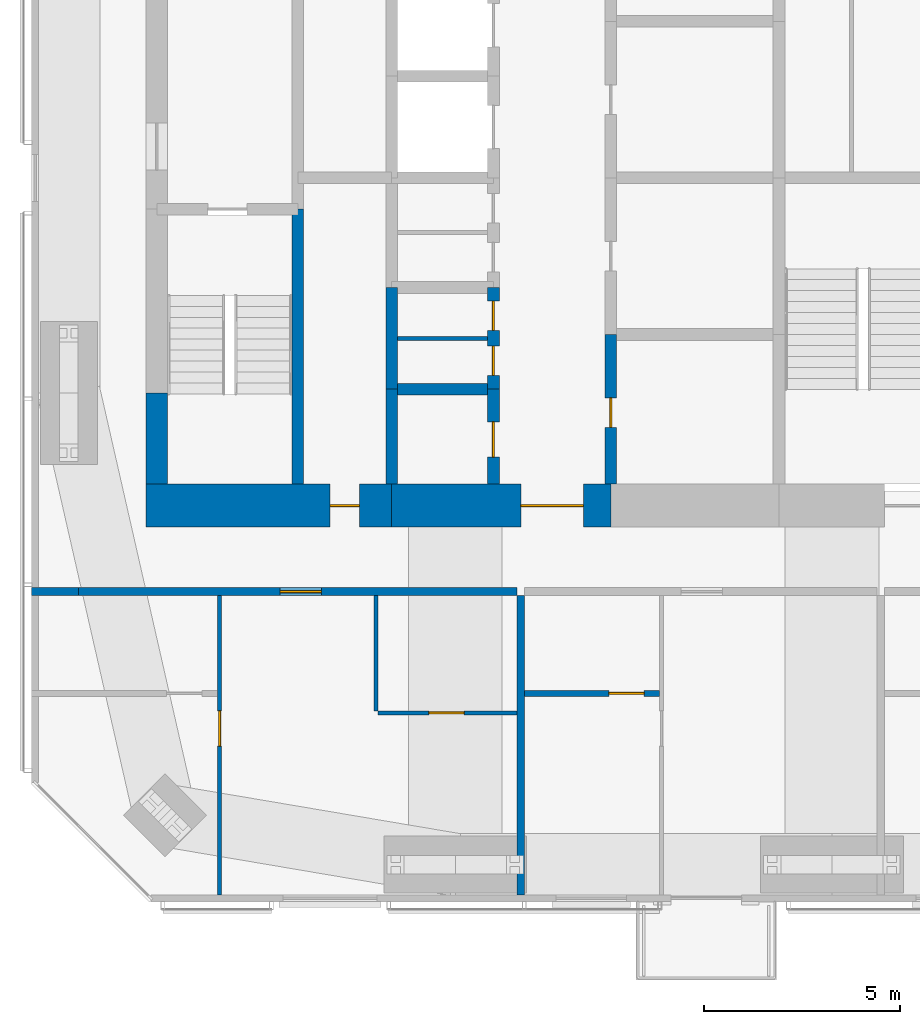
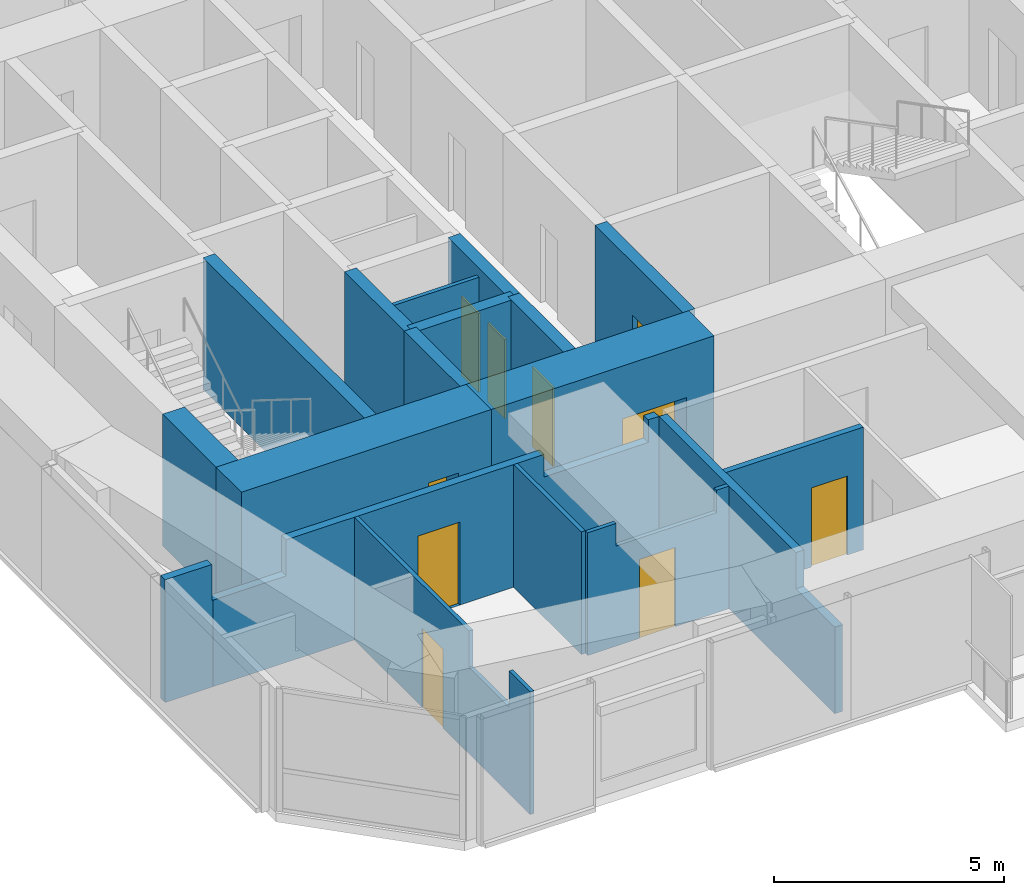
# One storey, part 12 of 18: 18 walls, 10 doors, 10 openings.
"""IFC4 building model written with IfcOpenShell, lengths in metres."""

from ifc_helpers import new_model, si_unit, direction, frame, frame_2d, origin, place, context, subcontext, project, spatial, polyline, rectangle, outline, extrude, material, layer, layer_set, constituent, constituent_set, type_object, element, fill, save


model = new_model("IFC4")

# Units and contexts
model_context = context("Model", 3, precision=1e-05, world=origin(), true_north=direction((0.0, 1.0)))
body_context = subcontext(model_context, "Body", "Model", "MODEL_VIEW")
ifc_project = project(units=[si_unit("LENGTHUNIT", "METRE"), si_unit("AREAUNIT", "SQUARE_METRE"), si_unit("VOLUMEUNIT", "CUBIC_METRE"), si_unit("PLANEANGLEUNIT", "RADIAN"), si_unit("MASSUNIT", "GRAM", prefix="KILO")], contexts=[model_context])

# Site, building, storey
site_placement = place(None, origin())
site = spatial("IfcSite", under=ifc_project, at=site_placement, CompositionType="ELEMENT")
building_placement = place(site_placement, origin())
building = spatial("IfcBuilding", under=site, at=building_placement, Name="Jalousie Tower", CompositionType="ELEMENT")
storey_placement = place(building_placement, frame((0.0, 0.0, 235.449951171875)))
storey = spatial("IfcBuildingStorey", under=building, at=storey_placement, Name="L64", CompositionType="ELEMENT", Elevation=235.449951171875)

# Wall, opening, door
ifc_material_1 = material(Name="Concrete block ASTM C90", Category="concrete")
ifc_constituent_1 = constituent(ifc_material_1, Name="Body")
ifc_material_2 = material(Name="Render")
ifc_constituent_2 = constituent(ifc_material_2, Name="Finish")
ifc_constituent_set_1 = constituent_set(constituents=[ifc_constituent_1, ifc_constituent_2])
wall_type_1 = type_object("IfcWallType", Name="BATHROOM WALL 150", PredefinedType="PLUMBINGWALL", material=ifc_constituent_set_1)
wall_1_placement = place(storey_placement, frame((29.39990234375, 5.324951171875, 0.0), z_axis=(0.0, 0.0, 1.0), x_axis=(1.0, 0.0, 0.0)))
wall_1 = element("IfcWall", 1, at=wall_1_placement, inside=storey, type_object=wall_type_1, Name="Bathroom Wall 150 L64", PredefinedType="PLUMBINGWALL", context=body_context, shape_type="SweptSolid", body=[
    extrude(rectangle(XDim=3.4501953125, YDim=0.14990234375, at=frame_2d((1.72509765625, 0.0))), origin(), (0.0, 0.0, 1.0), 3.260009765625),
])
opening_1_placement = place(wall_1_placement, frame((2.14990234375, 0.0, 0.0)))
opening_1 = element("IfcOpeningElement", 2, at=opening_1_placement, cuts=wall_1, Name="Opening D3", PredefinedType="OPENING", context=body_context, shape_type="SweptSolid", body=[
    extrude(rectangle(XDim=0.89990234375, YDim=2.10009765625, at=frame_2d((0.449951171875, 1.050048828125))), frame((0.0, 0.0849609375, 0.0), z_axis=(0.0, -1.0, 0.0), x_axis=(1.0, 0.0, 0.0)), (0.0, 0.0, 1.0), 0.169921875),
])
ifc_material_3 = material(Name="Timber door", Category="wood")
door_type_1 = type_object("IfcDoorType", Name="BATHROOM DOOR 900", OperationType="SINGLE_SWING_LEFT", PredefinedType="DOOR", material=ifc_material_3)
door_1_placement = place(opening_1_placement, origin())
door_1 = element("IfcDoor", 3, at=door_1_placement, inside=storey, type_object=door_type_1, Name="Apartment 6402 bedroom 1 bathroom door", OperationType="SINGLE_SWING_RIGHT", OverallHeight=2.10009765625, OverallWidth=0.89990234375, PredefinedType="DOOR", context=body_context, shape_type="SweptSolid", body=[
    extrude(rectangle(XDim=0.89990234375, YDim=2.10009765625, at=frame_2d((0.449951171875, 1.050048828125))), frame((0.0, 0.02490234375, 0.0), z_axis=(0.0, -1.0, 0.0), x_axis=(1.0, 0.0, 0.0)), (0.0, 0.0, 1.0), 0.050048828125),
])
fill(opening_1, door_1)

ifc_material_4 = material(Name="Concrete f'c 120 MPa", Category="concrete")
ifc_layer_1 = layer(ifc_material_4, 1.10009765625)
ifc_layer_set_1 = layer_set([ifc_layer_1], Name="Concrete f'c 120 MPa")
wall_type_2 = type_object("IfcWallType", Name="CORE WALL 1100", PredefinedType="SHEAR", material=ifc_layer_set_1)
wall_2_placement = place(storey_placement, frame((19.72509765625, 10.125, 0.0), z_axis=(0.0, 0.0, 1.0), x_axis=(1.0, 0.0, 0.0)))
wall_2 = element("IfcWall", 4, at=wall_2_placement, inside=storey, type_object=wall_type_2, Name="Core wall SA L64", PredefinedType="SHEAR", context=body_context, shape_type="SweptSolid", body=[
    extrude(rectangle(XDim=6.27490234375, YDim=1.10009765625, at=frame_2d((3.137451171875, 0.0))), origin(), (0.0, 0.0, 1.0), 3.5),
])
opening_2_placement = place(wall_2_placement, frame((4.699951171875, 0.0, 0.0)))
opening_2 = element("IfcOpeningElement", 5, at=opening_2_placement, cuts=wall_2, Name="Opening D16", PredefinedType="OPENING", context=body_context, shape_type="SweptSolid", body=[
    extrude(rectangle(XDim=0.75, YDim=2.10009765625, at=frame_2d((0.375, 1.050048828125))), frame((0.0, 0.56005859375, 0.0), z_axis=(0.0, -1.0, 0.0), x_axis=(1.0, 0.0, 0.0)), (0.0, 0.0, 1.0), 1.1201171875),
])
ifc_material_5 = material(Name="Steel fire door", Category="steel")
door_type_2 = type_object("IfcDoorType", Name="RISER DOOR 750", OperationType="SINGLE_SWING_LEFT", PredefinedType="DOOR", material=ifc_material_5)
door_2_placement = place(opening_2_placement, origin())
door_2 = element("IfcDoor", 6, at=door_2_placement, inside=storey, type_object=door_type_2, Name="South riser door", OperationType="SINGLE_SWING_RIGHT", OverallHeight=2.10009765625, OverallWidth=0.75, PredefinedType="DOOR", context=body_context, shape_type="SweptSolid", body=[
    extrude(rectangle(XDim=0.75, YDim=2.10009765625, at=frame_2d((0.375, 1.050048828125))), frame((0.0, 0.02490234375, 0.0), z_axis=(0.0, -1.0, 0.0), x_axis=(1.0, 0.0, 0.0)), (0.0, 0.0, 1.0), 0.050048828125),
])
fill(opening_2, door_2)

wall_3_placement = place(storey_placement, frame((26.0, 10.125, 0.0), z_axis=(0.0, 0.0, 1.0), x_axis=(1.0, 0.0, 0.0)))
wall_3 = element("IfcWall", 7, at=wall_3_placement, inside=storey, type_object=wall_type_2, Name="Core wall SB L64", PredefinedType="SHEAR", context=body_context, shape_type="SweptSolid", body=[
    extrude(rectangle(XDim=5.60009765625, YDim=1.10009765625, at=frame_2d((2.800048828125, 0.0))), origin(), (0.0, 0.0, 1.0), 3.5),
])
opening_3_placement = place(wall_3_placement, frame((3.300048828125, 0.0, 0.0)))
opening_3 = element("IfcOpeningElement", 8, at=opening_3_placement, cuts=wall_3, Name="Opening D15", PredefinedType="OPENING", context=body_context, shape_type="SweptSolid", body=[
    extrude(rectangle(XDim=1.60009765625, YDim=2.10009765625, at=frame_2d((0.800048828125, 1.050048828125))), frame((0.0, 0.56005859375, 0.0), z_axis=(0.0, -1.0, 0.0), x_axis=(1.0, 0.0, 0.0)), (0.0, 0.0, 1.0), 1.1201171875),
])
ifc_material_6 = material(Name="Steel fire door", Category="steel")
door_type_3 = type_object("IfcDoorType", Name="LIFT LOBBY DOOR 1600", OperationType="DOUBLE_DOOR_SINGLE_SWING", PredefinedType="DOOR", material=ifc_material_6)
door_3_placement = place(opening_3_placement, origin())
door_3 = element("IfcDoor", 9, at=door_3_placement, inside=storey, type_object=door_type_3, Name="Lift lobby south door", OperationType="DOUBLE_DOOR_SINGLE_SWING", OverallHeight=2.10009765625, OverallWidth=1.60009765625, PredefinedType="DOOR", context=body_context, shape_type="SweptSolid", body=[
    extrude(rectangle(XDim=1.60009765625, YDim=2.10009765625, at=frame_2d((0.800048828125, 1.050048828125))), frame((0.0, 0.02490234375, 0.0), z_axis=(0.0, -1.0, 0.0), x_axis=(1.0, 0.0, 0.0)), (0.0, 0.0, 1.0), 0.050048828125),
])
fill(opening_3, door_3)

# Walls
ifc_material_7 = material(Name="Concrete f'c 120 MPa", Category="concrete")
ifc_layer_2 = layer(ifc_material_7, 0.300048828125)
ifc_layer_set_2 = layer_set([ifc_layer_2], Name="Concrete f'c 120 MPa")
wall_type_3 = type_object("IfcWallType", Name="CORE WALL 300", PredefinedType="SHEAR", material=ifc_layer_set_2)
wall_4_placement = place(storey_placement, frame((23.60009765625, 10.675048828125, 0.0), z_axis=(0.0, 0.0, 1.0), x_axis=(0.0, 1.0, 0.0)))
element("IfcWall", 10, at=wall_4_placement, inside=storey, type_object=wall_type_3, Name="Core wall X23.6A L64", PredefinedType="SHEAR", context=body_context, shape_type="SweptSolid", body=[
    extrude(rectangle(XDim=7.02490234375, YDim=0.300048828125, at=frame_2d((3.512451171875, 0.0))), origin(), (0.0, 0.0, 1.0), 3.5),
])
wall_5_placement = place(storey_placement, frame((26.0, 10.675048828125, 0.0), z_axis=(0.0, 0.0, 1.0), x_axis=(0.0, 1.0, 0.0)))
element("IfcWall", 11, at=wall_5_placement, inside=storey, type_object=wall_type_3, Name="Core wall X26A L64", PredefinedType="SHEAR", context=body_context, shape_type="SweptSolid", body=[
    extrude(rectangle(XDim=2.425048828125, YDim=0.300048828125, at=frame_2d((1.21240234375, 0.0))), origin(), (0.0, 0.0, 1.0), 3.5),
])
wall_6_placement = place(storey_placement, frame((26.0, 13.10009765625, 0.0), z_axis=(0.0, 0.0, 1.0), x_axis=(0.0, 1.0, 0.0)))
element("IfcWall", 12, at=wall_6_placement, inside=storey, type_object=wall_type_3, Name="Core wall X26B L64", PredefinedType="SHEAR", context=body_context, shape_type="SweptSolid", body=[
    extrude(rectangle(XDim=2.599853515625, YDim=0.300048828125, at=frame_2d((1.2998046875, 0.0))), origin(), (0.0, 0.0, 1.0), 3.5),
])

# Wall, opening, door
wall_7_placement = place(storey_placement, frame((28.60009765625, 10.675048828125, 0.0), z_axis=(0.0, 0.0, 1.0), x_axis=(0.0, 1.0, 0.0)))
wall_7 = element("IfcWall", 13, at=wall_7_placement, inside=storey, type_object=wall_type_3, Name="Core wall X28.6A L64", PredefinedType="SHEAR", context=body_context, shape_type="SweptSolid", body=[
    extrude(rectangle(XDim=2.425048828125, YDim=0.300048828125, at=frame_2d((1.21240234375, 0.0))), origin(), (0.0, 0.0, 1.0), 3.5),
])
opening_4_placement = place(wall_7_placement, frame((0.6875, 0.0, 0.0)))
opening_4 = element("IfcOpeningElement", 14, at=opening_4_placement, cuts=wall_7, Name="Opening D24", PredefinedType="OPENING", context=body_context, shape_type="SweptSolid", body=[
    extrude(rectangle(XDim=0.89990234375, YDim=2.10009765625, at=frame_2d((0.449951171875, 1.050048828125))), frame((0.0, 0.159912109375, 0.0), z_axis=(0.0, -1.0, 0.0), x_axis=(1.0, 0.0, 0.0)), (0.0, 0.0, 1.0), 0.320068359375),
])
ifc_material_8 = material(Name="Steel fire door", Category="steel")
door_type_4 = type_object("IfcDoorType", Name="CORE ROOM DOOR 900", OperationType="SINGLE_SWING_LEFT", PredefinedType="DOOR", material=ifc_material_8)
door_4_placement = place(opening_4_placement, origin())
door_4 = element("IfcDoor", 15, at=door_4_placement, inside=storey, type_object=door_type_4, Name="Pantry door", OperationType="SINGLE_SWING_RIGHT", OverallHeight=2.10009765625, OverallWidth=0.89990234375, PredefinedType="DOOR", context=body_context, shape_type="SweptSolid", body=[
    extrude(rectangle(XDim=0.89990234375, YDim=2.10009765625, at=frame_2d((0.449951171875, 1.050048828125))), frame((0.0, 0.02490234375, 0.0), z_axis=(0.0, -1.0, 0.0), x_axis=(1.0, 0.0, 0.0)), (0.0, 0.0, 1.0), 0.050048828125),
])
fill(opening_4, door_4)

# Wall, openings, doors
wall_8_placement = place(storey_placement, frame((28.60009765625, 13.10009765625, 0.0), z_axis=(0.0, 0.0, 1.0), x_axis=(0.0, 1.0, 0.0)))
wall_8 = element("IfcWall", 16, at=wall_8_placement, inside=storey, type_object=wall_type_3, Name="Core wall X28.6B L64", PredefinedType="SHEAR", context=body_context, shape_type="SweptSolid", body=[
    extrude(rectangle(XDim=2.599853515625, YDim=0.300048828125, at=frame_2d((1.2998046875, 0.0))), origin(), (0.0, 0.0, 1.0), 3.5),
])
opening_5_placement = place(wall_8_placement, frame((0.35009765625, 0.0, 0.0)))
opening_5 = element("IfcOpeningElement", 17, at=opening_5_placement, cuts=wall_8, Name="Opening D27", PredefinedType="OPENING", context=body_context, shape_type="SweptSolid", body=[
    extrude(rectangle(XDim=0.75, YDim=2.10009765625, at=frame_2d((0.375, 1.050048828125))), frame((0.0, 0.159912109375, 0.0), z_axis=(0.0, -1.0, 0.0), x_axis=(1.0, 0.0, 0.0)), (0.0, 0.0, 1.0), 0.320068359375),
])
opening_6_placement = place(wall_8_placement, frame((1.5, 0.0, 0.0)))
opening_6 = element("IfcOpeningElement", 18, at=opening_6_placement, cuts=wall_8, Name="Opening D27", PredefinedType="OPENING", context=body_context, shape_type="SweptSolid", body=[
    extrude(rectangle(XDim=0.75, YDim=2.10009765625, at=frame_2d((0.375, 1.050048828125))), frame((0.0, 0.159912109375, 0.0), z_axis=(0.0, -1.0, 0.0), x_axis=(1.0, 0.0, 0.0)), (0.0, 0.0, 1.0), 0.320068359375),
])
ifc_material_9 = material(Name="Steel fire door", Category="steel")
door_type_5 = type_object("IfcDoorType", Name="CORE ROOM DOOR 750", OperationType="SINGLE_SWING_LEFT", PredefinedType="DOOR", material=ifc_material_9)
door_5_placement = place(opening_5_placement, origin())
door_5 = element("IfcDoor", 19, at=door_5_placement, inside=storey, type_object=door_type_5, Name="IT room door", OperationType="SINGLE_SWING_RIGHT", OverallHeight=2.10009765625, OverallWidth=0.75, PredefinedType="DOOR", context=body_context, shape_type="SweptSolid", body=[
    extrude(rectangle(XDim=0.75, YDim=2.10009765625, at=frame_2d((0.375, 1.050048828125))), frame((0.0, 0.02490234375, 0.0), z_axis=(0.0, -1.0, 0.0), x_axis=(1.0, 0.0, 0.0)), (0.0, 0.0, 1.0), 0.050048828125),
])
fill(opening_5, door_5)
door_6_placement = place(opening_6_placement, origin())
door_6 = element("IfcDoor", 20, at=door_6_placement, inside=storey, type_object=door_type_5, Name="Store door", OperationType="SINGLE_SWING_LEFT", OverallHeight=2.10009765625, OverallWidth=0.75, PredefinedType="DOOR", context=body_context, shape_type="SweptSolid", body=[
    extrude(rectangle(XDim=0.75, YDim=2.10009765625, at=frame_2d((0.375, 1.050048828125))), frame((0.0, 0.02490234375, 0.0), z_axis=(0.0, -1.0, 0.0), x_axis=(1.0, 0.0, 0.0)), (0.0, 0.0, 1.0), 0.050048828125),
])
fill(opening_6, door_6)

# Wall, opening, door
wall_9_placement = place(storey_placement, frame((31.60009765625, 10.675048828125, 0.0), z_axis=(0.0, 0.0, 1.0), x_axis=(0.0, 1.0, 0.0)))
wall_9 = element("IfcWall", 21, at=wall_9_placement, inside=storey, type_object=wall_type_3, Name="Core wall X31.6A L64", PredefinedType="SHEAR", context=body_context, shape_type="SweptSolid", body=[
    extrude(rectangle(XDim=3.824951171875, YDim=0.300048828125, at=frame_2d((1.91259765625, 0.0))), origin(), (0.0, 0.0, 1.0), 3.5),
])
opening_7_placement = place(wall_9_placement, frame((1.449951171875, 0.0, 0.0)))
opening_7 = element("IfcOpeningElement", 22, at=opening_7_placement, cuts=wall_9, Name="Opening D16", PredefinedType="OPENING", context=body_context, shape_type="SweptSolid", body=[
    extrude(rectangle(XDim=0.75, YDim=2.10009765625, at=frame_2d((0.375, 1.050048828125))), frame((0.0, 0.159912109375, 0.0), z_axis=(0.0, -1.0, 0.0), x_axis=(1.0, 0.0, 0.0)), (0.0, 0.0, 1.0), 0.320068359375),
])
door_7_placement = place(opening_7_placement, frame((0.75, 0.0, 0.0), z_axis=(0.0, 0.0, 1.0), x_axis=(-1.0, 0.0, 0.0)))
door_7 = element("IfcDoor", 23, at=door_7_placement, inside=storey, type_object=door_type_2, Name="Refuse Room door", OperationType="SINGLE_SWING_RIGHT", OverallHeight=2.10009765625, OverallWidth=0.75, PredefinedType="DOOR", context=body_context, shape_type="SweptSolid", body=[
    extrude(rectangle(XDim=0.75, YDim=2.10009765625, at=frame_2d((0.375, 1.050048828125))), frame((0.0, 0.02490234375, 0.0), z_axis=(0.0, -1.0, 0.0), x_axis=(1.0, 0.0, 0.0)), (0.0, 0.0, 1.0), 0.050048828125),
])
fill(opening_7, door_7)

# Walls
wall_10_placement = place(storey_placement, frame((26.0, 13.10009765625, 0.0), z_axis=(0.0, 0.0, 1.0), x_axis=(1.0, 0.0, 0.0)))
element("IfcWall", 24, at=wall_10_placement, inside=storey, type_object=wall_type_3, Name="Core wall Y26-13.1 L64", PredefinedType="SHEAR", context=body_context, shape_type="SweptSolid", body=[
    extrude(rectangle(XDim=2.60009765625, YDim=0.300048828125, at=frame_2d((1.300048828125, 0.0))), origin(), (0.0, 0.0, 1.0), 3.5),
])
ifc_material_10 = material(Name="Concrete f'c 120 MPa", Category="concrete")
ifc_layer_3 = layer(ifc_material_10, 0.550048828125)
ifc_layer_set_3 = layer_set([ifc_layer_3], Name="Concrete f'c 120 MPa")
wall_type_4 = type_object("IfcWallType", Name="CORE WALL 550", PredefinedType="SHEAR", material=ifc_layer_set_3)
wall_11_placement = place(storey_placement, frame((20.0, 13.0, 0.0), z_axis=(0.0, 0.0, 1.0), x_axis=(0.0, -1.0, 0.0)))
element("IfcWall", 25, at=wall_11_placement, inside=storey, type_object=wall_type_4, Name="Core wall WD L64", PredefinedType="SHEAR", context=body_context, shape_type="SweptSolid", body=[
    extrude(rectangle(XDim=2.324951171875, YDim=0.550048828125, at=frame_2d((1.16259765625, 0.0))), origin(), (0.0, 0.0, 1.0), 3.5),
])

# Wall, opening, door
ifc_material_11 = material(Name="Concrete block ASTM C90", Category="concrete")
ifc_constituent_3 = constituent(ifc_material_11, Name="Body")
ifc_material_12 = material(Name="Render")
ifc_constituent_4 = constituent(ifc_material_12, Name="Finish")
ifc_constituent_set_2 = constituent_set(constituents=[ifc_constituent_3, ifc_constituent_4])
wall_type_5 = type_object("IfcWallType", Name="CORRIDOR WALL 200", PredefinedType="PARTITIONING", material=ifc_constituent_set_2)
wall_12_placement = place(storey_placement, frame((18.0, 7.925048828125, 0.0), z_axis=(0.0, 0.0, 1.0), x_axis=(1.0, 0.0, 0.0)))
wall_12 = element("IfcWall", 26, at=wall_12_placement, inside=storey, type_object=wall_type_5, Name="Corridor Wall 200 L64", PredefinedType="PARTITIONING", context=body_context, shape_type="SweptSolid", body=[
    extrude(outline(polyline([(0.0, 0.0), (11.199951171875, 0.0), (11.199951171875, 3.260009765625), (10.93505859375, 3.260009765625), (10.93505859375, 2.66015625), (8.31494140625, 2.66015625), (8.31494140625, 3.260009765625), (1.838623046875, 3.260009765625), (1.838623046875, 2.300048828125), (0.0, 2.300048828125), (0.0, 3.260009765625), (0.0, 0.0)])), frame((0.0, 0.10009765625, 0.0), z_axis=(0.0, -1.0, 0.0), x_axis=(1.0, 0.0, 0.0)), (0.0, 0.0, 1.0), 0.199951171875),
])
opening_8_placement = place(wall_12_placement, frame((5.14990234375, 0.0, 0.0)))
opening_8 = element("IfcOpeningElement", 27, at=opening_8_placement, cuts=wall_12, Name="Opening D1", PredefinedType="OPENING", context=body_context, shape_type="SweptSolid", body=[
    extrude(rectangle(XDim=1.050048828125, YDim=2.199951171875, at=frame_2d((0.52490234375, 1.10009765625))), frame((0.0, 0.10986328125, 0.0), z_axis=(0.0, -1.0, 0.0), x_axis=(1.0, 0.0, 0.0)), (0.0, 0.0, 1.0), 0.219970703125),
])
ifc_material_13 = material(Name="Timber fire door", Category="wood")
door_type_6 = type_object("IfcDoorType", Name="APARTMENT ENTRANCE DOOR 1050", OperationType="SINGLE_SWING_LEFT", PredefinedType="DOOR", material=ifc_material_13)
door_8_placement = place(opening_8_placement, frame((1.050048828125, 0.0, 0.0), z_axis=(0.0, 0.0, 1.0), x_axis=(-1.0, 0.0, 0.0)))
door_8 = element("IfcDoor", 28, at=door_8_placement, inside=storey, type_object=door_type_6, Name="Apartment 6401 entrance", OperationType="SINGLE_SWING_LEFT", OverallHeight=2.199951171875, OverallWidth=1.050048828125, PredefinedType="DOOR", context=body_context, shape_type="SweptSolid", body=[
    extrude(rectangle(XDim=1.050048828125, YDim=2.199951171875, at=frame_2d((0.52490234375, 1.10009765625))), frame((0.0, 0.02490234375, 0.0), z_axis=(0.0, -1.0, 0.0), x_axis=(1.0, 0.0, 0.0)), (0.0, 0.0, 1.0), 0.050048828125),
])
fill(opening_8, door_8)

ifc_material_14 = material(Name="Gypsum board", Category="gypsum")
ifc_constituent_5 = constituent(ifc_material_14, Name="Body")
ifc_material_15 = material(Name="Light-gauge steel studs ASTM A653 SS Grade 33", Category="steel")
ifc_constituent_6 = constituent(ifc_material_15, Name="Framing")
ifc_constituent_set_3 = constituent_set(constituents=[ifc_constituent_5, ifc_constituent_6])
wall_type_6 = type_object("IfcWallType", Name="PARTITION 100", PredefinedType="PARTITIONING", material=ifc_constituent_set_3)
wall_13_placement = place(storey_placement, frame((21.60009765625, 0.175048828125, 0.0), z_axis=(0.0, 0.0, 1.0), x_axis=(0.0, 1.0, 0.0)))
wall_13 = element("IfcWall", 29, at=wall_13_placement, inside=storey, type_object=wall_type_6, Name="Partition 100 L64", PredefinedType="PARTITIONING", context=body_context, shape_type="SweptSolid", body=[
    extrude(outline(polyline([(0.0, 0.0), (7.64990234375, 0.0), (7.64990234375, 3.260009765625), (2.668212890625, 3.260009765625), (2.668212890625, 2.300048828125), (0.923828125, 2.300048828125), (0.923828125, 3.260009765625), (0.0, 3.260009765625), (0.0, 0.0)])), frame((0.0, 0.050048828125, 0.0), z_axis=(0.0, -1.0, 0.0), x_axis=(1.0, 0.0, 0.0)), (0.0, 0.0, 1.0), 0.10009765625),
])
opening_9_placement = place(wall_13_placement, frame((3.800048828125, 0.0, 0.0)))
opening_9 = element("IfcOpeningElement", 30, at=opening_9_placement, cuts=wall_13, Name="Opening D2", PredefinedType="OPENING", context=body_context, shape_type="SweptSolid", body=[
    extrude(rectangle(XDim=0.89990234375, YDim=2.10009765625, at=frame_2d((0.449951171875, 1.050048828125))), frame((0.0, 0.06005859375, 0.0), z_axis=(0.0, -1.0, 0.0), x_axis=(1.0, 0.0, 0.0)), (0.0, 0.0, 1.0), 0.1201171875),
])
ifc_material_16 = material(Name="Timber door", Category="wood")
door_type_7 = type_object("IfcDoorType", Name="BEDROOM DOOR 900", OperationType="SINGLE_SWING_LEFT", PredefinedType="DOOR", material=ifc_material_16)
door_9_placement = place(opening_9_placement, origin())
door_9 = element("IfcDoor", 31, at=door_9_placement, inside=storey, type_object=door_type_7, Name="Apartment 6401 bedroom 1 door", OperationType="SINGLE_SWING_RIGHT", OverallHeight=2.10009765625, OverallWidth=0.89990234375, PredefinedType="DOOR", context=body_context, shape_type="SweptSolid", body=[
    extrude(rectangle(XDim=0.89990234375, YDim=2.10009765625, at=frame_2d((0.449951171875, 1.050048828125))), frame((0.0, 0.02490234375, 0.0), z_axis=(0.0, -1.0, 0.0), x_axis=(1.0, 0.0, 0.0)), (0.0, 0.0, 1.0), 0.050048828125),
])
fill(opening_9, door_9)

wall_14_placement = place(storey_placement, frame((25.64990234375, 4.824951171875, 0.0), z_axis=(0.0, 0.0, 1.0), x_axis=(1.0, 0.0, 0.0)))
wall_14 = element("IfcWall", 32, at=wall_14_placement, inside=storey, type_object=wall_type_6, Name="Partition 100 L64", PredefinedType="PARTITIONING", context=body_context, shape_type="SweptSolid", body=[
    extrude(outline(polyline([(0.0, 0.0), (3.550048828125, 0.0), (3.550048828125, 3.260009765625), (3.235107421875, 3.260009765625), (3.235107421875, 2.66015625), (0.715087890625, 2.66015625), (0.715087890625, 3.260009765625), (0.0, 3.260009765625), (0.0, 0.0)])), frame((0.0, 0.050048828125, 0.0), z_axis=(0.0, -1.0, 0.0), x_axis=(1.0, 0.0, 0.0)), (0.0, 0.0, 1.0), 0.10009765625),
])
opening_10_placement = place(wall_14_placement, frame((1.300048828125, 0.0, 0.0)))
opening_10 = element("IfcOpeningElement", 33, at=opening_10_placement, cuts=wall_14, Name="Opening D7", PredefinedType="OPENING", context=body_context, shape_type="SweptSolid", body=[
    extrude(rectangle(XDim=0.89990234375, YDim=2.10009765625, at=frame_2d((0.449951171875, 1.050048828125))), frame((0.0, 0.06005859375, 0.0), z_axis=(0.0, -1.0, 0.0), x_axis=(1.0, 0.0, 0.0)), (0.0, 0.0, 1.0), 0.1201171875),
])
ifc_material_17 = material(Name="Timber door", Category="wood")
door_type_8 = type_object("IfcDoorType", Name="INTERNAL DOOR 900", OperationType="SINGLE_SWING_LEFT", PredefinedType="DOOR", material=ifc_material_17)
door_10_placement = place(opening_10_placement, frame((0.89990234375, 0.0, 0.0), z_axis=(0.0, 0.0, 1.0), x_axis=(-1.0, 0.0, 0.0)))
door_10 = element("IfcDoor", 34, at=door_10_placement, inside=storey, type_object=door_type_8, Name="Apartment 6401 kitchen door", OperationType="SINGLE_SWING_LEFT", OverallHeight=2.10009765625, OverallWidth=0.89990234375, PredefinedType="DOOR", context=body_context, shape_type="SweptSolid", body=[
    extrude(rectangle(XDim=0.89990234375, YDim=2.10009765625, at=frame_2d((0.449951171875, 1.050048828125))), frame((0.0, 0.02490234375, 0.0), z_axis=(0.0, -1.0, 0.0), x_axis=(1.0, 0.0, 0.0)), (0.0, 0.0, 1.0), 0.050048828125),
])
fill(opening_10, door_10)

# Walls
wall_15_placement = place(storey_placement, frame((25.60009765625, 4.875, 0.0), z_axis=(0.0, 0.0, 1.0), x_axis=(0.0, 1.0, 0.0)))
element("IfcWall", 35, at=wall_15_placement, inside=storey, type_object=wall_type_6, Name="Partition 100 L64", PredefinedType="PARTITIONING", context=body_context, shape_type="SweptSolid", body=[
    extrude(rectangle(XDim=2.949951171875, YDim=0.10009765625, at=frame_2d((1.47509765625, 0.0))), origin(), (0.0, 0.0, 1.0), 3.260009765625),
])
wall_16_placement = place(storey_placement, frame((26.14990234375, 14.39990234375, 0.0), z_axis=(0.0, 0.0, 1.0), x_axis=(1.0, 0.0, 0.0)))
element("IfcWall", 36, at=wall_16_placement, inside=storey, type_object=wall_type_6, Name="Partition 100 L64", PredefinedType="PARTITIONING", context=body_context, shape_type="SweptSolid", body=[
    extrude(rectangle(XDim=2.300048828125, YDim=0.10009765625, at=frame_2d((1.14990234375, 0.0))), origin(), (0.0, 0.0, 1.0), 3.260009765625),
])
ifc_material_18 = material(Name="Concrete block ASTM C90", Category="concrete")
ifc_constituent_7 = constituent(ifc_material_18, Name="Body")
ifc_material_19 = material(Name="Render")
ifc_constituent_8 = constituent(ifc_material_19, Name="Finish")
ifc_constituent_set_4 = constituent_set(constituents=[ifc_constituent_7, ifc_constituent_8])
wall_type_7 = type_object("IfcWallType", Name="PARTY WALL 200", PredefinedType="PARTITIONING", material=ifc_constituent_set_4)
wall_17_placement = place(storey_placement, frame((29.300048828125, 0.175048828125, 0.0), z_axis=(0.0, 0.0, 1.0), x_axis=(0.0, 1.0, 0.0)))
element("IfcWall", 37, at=wall_17_placement, inside=storey, type_object=wall_type_7, Name="Party Wall 200 L64", PredefinedType="PARTITIONING", context=body_context, shape_type="SweptSolid", body=[
    extrude(outline(polyline([(0.0, 0.0), (7.64990234375, 0.0), (7.64990234375, 3.260009765625), (1.68505859375, 3.260009765625), (1.68505859375, 2.300048828125), (0.0, 2.300048828125), (0.0, 3.260009765625), (0.0, 0.0)])), frame((0.0, 0.10009765625, 0.0), z_axis=(0.0, -1.0, 0.0), x_axis=(1.0, 0.0, 0.0)), (0.0, 0.0, 1.0), 0.199951171875),
])
wall_18_placement = place(storey_placement, frame((16.800048828125, 7.925048828125, 0.0), z_axis=(0.0, 0.0, 1.0), x_axis=(1.0, 0.0, 0.0)))
element("IfcWall", 38, at=wall_18_placement, inside=storey, type_object=wall_type_7, Name="Party Wall 200 L64", PredefinedType="PARTITIONING", context=body_context, shape_type="SweptSolid", body=[
    extrude(outline(polyline([(0.0, 0.0), (1.199951171875, 0.0), (1.199951171875, 3.260009765625), (1.199951171875, 2.300048828125), (1.172119140625, 2.300048828125), (1.172119140625, 3.260009765625), (0.0, 3.260009765625), (0.0, 0.0)])), frame((0.0, 0.10009765625, 0.0), z_axis=(0.0, -1.0, 0.0), x_axis=(1.0, 0.0, 0.0)), (0.0, 0.0, 1.0), 0.199951171875),
])

save(model, "model.ifc")
